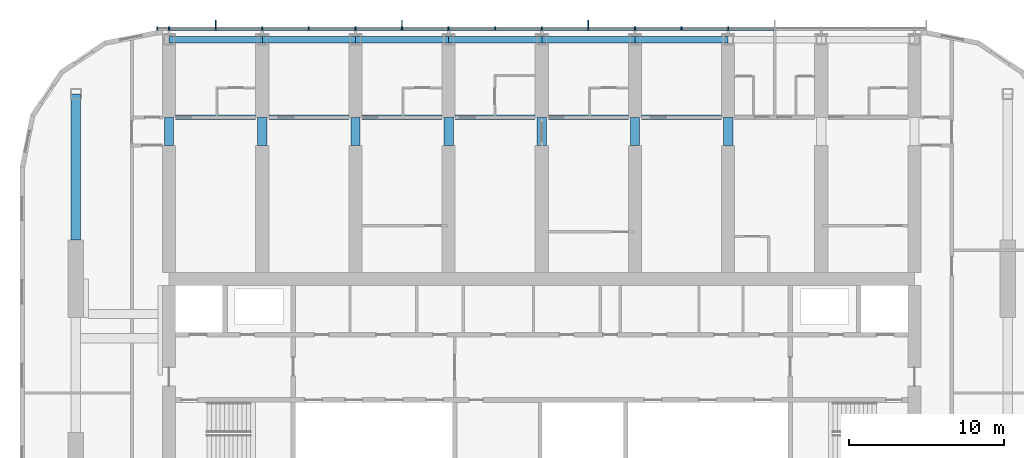
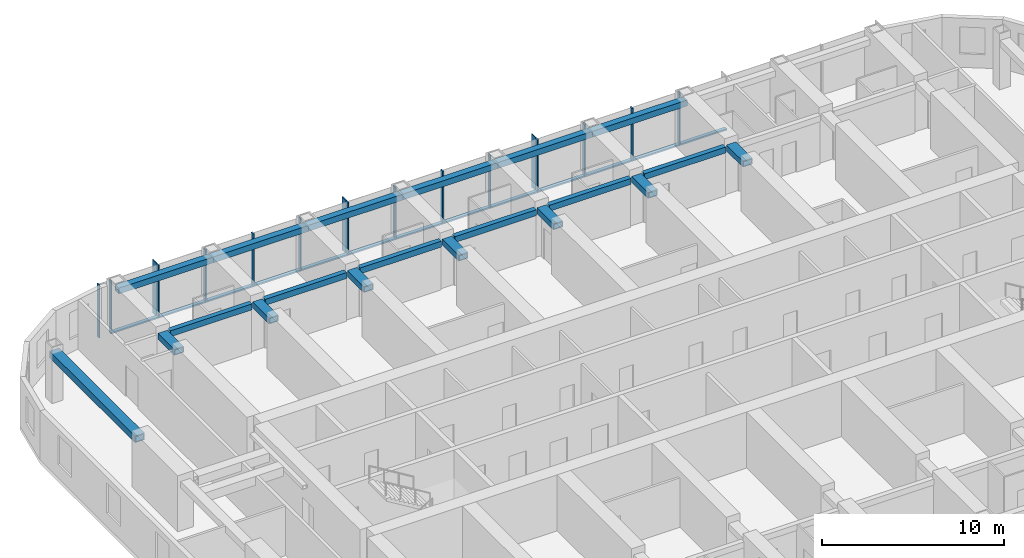
# One storey, part 4 of 22: 30 members, 20 beams, 1 element without a shape of its own.
"""IFC4 building model written with IfcOpenShell, lengths in metres."""

from ifc_helpers import new_model, si_unit, direction, frame, origin, origin_2d, place, context, subcontext, project, spatial, rectangle, hollow_rectangle, extrude, material, material_profile, profile_set, type_object, element, aggregate, save


model = new_model("IFC4")

# Units and contexts
model_context = context("Model", 3, precision=1e-05, world=origin(), true_north=direction((0.0, 1.0)))
body_context = subcontext(model_context, "Body", "Model", "MODEL_VIEW")
ifc_project = project(units=[si_unit("LENGTHUNIT", "METRE"), si_unit("AREAUNIT", "SQUARE_METRE"), si_unit("VOLUMEUNIT", "CUBIC_METRE"), si_unit("PLANEANGLEUNIT", "RADIAN"), si_unit("MASSUNIT", "GRAM", prefix="KILO")], contexts=[model_context])

# Site, building, storey
site_placement = place(None, origin())
site = spatial("IfcSite", under=ifc_project, at=site_placement, CompositionType="ELEMENT")
building_placement = place(site_placement, origin())
building = spatial("IfcBuilding", under=site, at=building_placement, Name="Orbita Commons", CompositionType="ELEMENT")
storey_placement = place(building_placement, frame((0.0, 0.0, 189.85009765625)))
storey = spatial("IfcBuildingStorey", under=building, at=storey_placement, Name="L47", CompositionType="ELEMENT", Elevation=189.85009765625)

# Curtain wall, members
ifc_material_1 = material(Name="Anodised aluminium frame, pale silver", Category="aluminium")
curtain_wall_type = type_object("IfcCurtainWallType", Name="Unitised curtain wall CW-U, full-height vision", PredefinedType="NOTDEFINED", material=ifc_material_1)
curtain_wall_placement = place(storey_placement, origin())
curtain_wall = element("IfcCurtainWall", 1, at=curtain_wall_placement, inside=storey, type_object=curtain_wall_type, Name="Curtain wall north L47", PredefinedType="NOTDEFINED")
ifc_material_2 = material(Name="Anodised aluminium, pale silver", Category="aluminium")
ifc_material_profile_1 = material_profile(ifc_material_2, rectangle(XDim=0.080078125, YDim=0.219970703125, at=origin_2d()), Name="AL 80x220")
ifc_profile_set_1 = profile_set([ifc_material_profile_1], Name="Anodised aluminium, pale silver")
member_type_1 = type_object("IfcMemberType", Name="Curtain wall mullion 80x220", PredefinedType="MULLION", material=ifc_profile_set_1)
member_1_placement = place(storey_placement, frame((54.0, 54.31005859375, -0.25), z_axis=(0.0, 0.0, 1.0), x_axis=(-1.0, 0.0, 0.0)))
member_1 = element("IfcMember", 2, at=member_1_placement, type_object=member_type_1, Name="Mullion 6 CW-L47-N", PredefinedType="MULLION", context=body_context, shape_type="SweptSolid", body=[
    extrude(rectangle(XDim=0.080078125, YDim=0.219970703125, at=origin_2d()), origin(), (0.0, 0.0, 1.0), 3.5498046875),
])
member_2_placement = place(storey_placement, frame((51.0, 54.31005859375, -0.25), z_axis=(0.0, 0.0, 1.0), x_axis=(-1.0, 0.0, 0.0)))
member_2 = element("IfcMember", 3, at=member_2_placement, type_object=member_type_1, Name="Mullion 7 CW-L47-N", PredefinedType="MULLION", context=body_context, shape_type="SweptSolid", body=[
    extrude(rectangle(XDim=0.080078125, YDim=0.219970703125, at=origin_2d()), origin(), (0.0, 0.0, 1.0), 3.5498046875),
])
member_3_placement = place(storey_placement, frame((48.0, 54.31005859375, -0.25), z_axis=(0.0, 0.0, 1.0), x_axis=(-1.0, 0.0, 0.0)))
member_3 = element("IfcMember", 4, at=member_3_placement, type_object=member_type_1, Name="Mullion 8 CW-L47-N", PredefinedType="MULLION", context=body_context, shape_type="SweptSolid", body=[
    extrude(rectangle(XDim=0.080078125, YDim=0.219970703125, at=origin_2d()), origin(), (0.0, 0.0, 1.0), 3.5498046875),
])
member_4_placement = place(storey_placement, frame((45.0, 54.31005859375, -0.25), z_axis=(0.0, 0.0, 1.0), x_axis=(-1.0, 0.0, 0.0)))
member_4 = element("IfcMember", 5, at=member_4_placement, type_object=member_type_1, Name="Mullion 9 CW-L47-N", PredefinedType="MULLION", context=body_context, shape_type="SweptSolid", body=[
    extrude(rectangle(XDim=0.080078125, YDim=0.219970703125, at=origin_2d()), origin(), (0.0, 0.0, 1.0), 3.5498046875),
])
member_5_placement = place(storey_placement, frame((42.0, 54.31005859375, -0.25), z_axis=(0.0, 0.0, 1.0), x_axis=(-1.0, 0.0, 0.0)))
member_5 = element("IfcMember", 6, at=member_5_placement, type_object=member_type_1, Name="Mullion 10 CW-L47-N", PredefinedType="MULLION", context=body_context, shape_type="SweptSolid", body=[
    extrude(rectangle(XDim=0.080078125, YDim=0.219970703125, at=origin_2d()), origin(), (0.0, 0.0, 1.0), 3.5498046875),
])
member_6_placement = place(storey_placement, frame((39.0, 54.31005859375, -0.25), z_axis=(0.0, 0.0, 1.0), x_axis=(-1.0, 0.0, 0.0)))
member_6 = element("IfcMember", 7, at=member_6_placement, type_object=member_type_1, Name="Mullion 11 CW-L47-N", PredefinedType="MULLION", context=body_context, shape_type="SweptSolid", body=[
    extrude(rectangle(XDim=0.080078125, YDim=0.219970703125, at=origin_2d()), origin(), (0.0, 0.0, 1.0), 3.5498046875),
])
member_7_placement = place(storey_placement, frame((36.0, 54.31005859375, -0.25), z_axis=(0.0, 0.0, 1.0), x_axis=(-1.0, 0.0, 0.0)))
member_7 = element("IfcMember", 8, at=member_7_placement, type_object=member_type_1, Name="Mullion 12 CW-L47-N", PredefinedType="MULLION", context=body_context, shape_type="SweptSolid", body=[
    extrude(rectangle(XDim=0.080078125, YDim=0.219970703125, at=origin_2d()), origin(), (0.0, 0.0, 1.0), 3.5498046875),
])
member_8_placement = place(storey_placement, frame((33.0, 54.31005859375, -0.25), z_axis=(0.0, 0.0, 1.0), x_axis=(-1.0, 0.0, 0.0)))
member_8 = element("IfcMember", 9, at=member_8_placement, type_object=member_type_1, Name="Mullion 13 CW-L47-N", PredefinedType="MULLION", context=body_context, shape_type="SweptSolid", body=[
    extrude(rectangle(XDim=0.080078125, YDim=0.219970703125, at=origin_2d()), origin(), (0.0, 0.0, 1.0), 3.5498046875),
])
member_9_placement = place(storey_placement, frame((30.0, 54.31005859375, -0.25), z_axis=(0.0, 0.0, 1.0), x_axis=(-1.0, 0.0, 0.0)))
member_9 = element("IfcMember", 10, at=member_9_placement, type_object=member_type_1, Name="Mullion 14 CW-L47-N", PredefinedType="MULLION", context=body_context, shape_type="SweptSolid", body=[
    extrude(rectangle(XDim=0.080078125, YDim=0.219970703125, at=origin_2d()), origin(), (0.0, 0.0, 1.0), 3.5498046875),
])
member_10_placement = place(storey_placement, frame((27.0, 54.31005859375, -0.25), z_axis=(0.0, 0.0, 1.0), x_axis=(-1.0, 0.0, 0.0)))
member_10 = element("IfcMember", 11, at=member_10_placement, type_object=member_type_1, Name="Mullion 15 CW-L47-N", PredefinedType="MULLION", context=body_context, shape_type="SweptSolid", body=[
    extrude(rectangle(XDim=0.080078125, YDim=0.219970703125, at=origin_2d()), origin(), (0.0, 0.0, 1.0), 3.5498046875),
])
member_11_placement = place(storey_placement, frame((24.0, 54.31005859375, -0.25), z_axis=(0.0, 0.0, 1.0), x_axis=(-1.0, 0.0, 0.0)))
member_11 = element("IfcMember", 12, at=member_11_placement, type_object=member_type_1, Name="Mullion 16 CW-L47-N", PredefinedType="MULLION", context=body_context, shape_type="SweptSolid", body=[
    extrude(rectangle(XDim=0.080078125, YDim=0.219970703125, at=origin_2d()), origin(), (0.0, 0.0, 1.0), 3.5498046875),
])
member_12_placement = place(storey_placement, frame((21.0, 54.31005859375, -0.25), z_axis=(0.0, 0.0, 1.0), x_axis=(-1.0, 0.0, 0.0)))
member_12 = element("IfcMember", 13, at=member_12_placement, type_object=member_type_1, Name="Mullion 17 CW-L47-N", PredefinedType="MULLION", context=body_context, shape_type="SweptSolid", body=[
    extrude(rectangle(XDim=0.080078125, YDim=0.219970703125, at=origin_2d()), origin(), (0.0, 0.0, 1.0), 3.5498046875),
])
member_13_placement = place(storey_placement, frame((18.0, 54.31005859375, -0.25), z_axis=(0.0, 0.0, 1.0), x_axis=(-1.0, 0.0, 0.0)))
member_13 = element("IfcMember", 14, at=member_13_placement, type_object=member_type_1, Name="Mullion 18 CW-L47-N", PredefinedType="MULLION", context=body_context, shape_type="SweptSolid", body=[
    extrude(rectangle(XDim=0.080078125, YDim=0.219970703125, at=origin_2d()), origin(), (0.0, 0.0, 1.0), 3.5498046875),
])
member_14_placement = place(storey_placement, frame((17.239990234375, 54.31005859375, -0.25), z_axis=(0.0, 0.0, 1.0), x_axis=(-1.0, 0.0, 0.0)))
member_14 = element("IfcMember", 15, at=member_14_placement, type_object=member_type_1, Name="Mullion 19 CW-L47-N", PredefinedType="MULLION", context=body_context, shape_type="SweptSolid", body=[
    extrude(rectangle(XDim=0.080078125, YDim=0.219970703125, at=origin_2d()), origin(), (0.0, 0.0, 1.0), 3.5498046875),
])
ifc_material_3 = material(Name="Anodised aluminium, pale silver", Category="aluminium")
ifc_material_profile_2 = material_profile(ifc_material_3, rectangle(XDim=0.219970703125, YDim=0.10009765625, at=origin_2d()), Name="AL 220x100")
ifc_profile_set_2 = profile_set([ifc_material_profile_2], Name="Anodised aluminium, pale silver")
member_type_2 = type_object("IfcMemberType", Name="Curtain wall stack transom 220x100", PredefinedType="USERDEFINED", material=ifc_profile_set_2)
member_15_placement = place(storey_placement, frame((56.9599609375, 54.31005859375, -0.2001953125), z_axis=(-1.0, 0.0, 0.0), x_axis=(0.0, -1.0, 0.0)))
member_15 = element("IfcMember", 16, at=member_15_placement, type_object=member_type_2, Name="Transom 5.1 CW-L47-N", ObjectType="TRANSOM", PredefinedType="USERDEFINED", context=body_context, shape_type="SweptSolid", body=[
    extrude(rectangle(XDim=0.219970703125, YDim=0.10009765625, at=origin_2d()), origin(), (0.0, 0.0, 1.0), 2.919921875),
])
member_16_placement = place(storey_placement, frame((53.9599609375, 54.31005859375, -0.2001953125), z_axis=(-1.0, 0.0, 0.0), x_axis=(0.0, -1.0, 0.0)))
member_16 = element("IfcMember", 17, at=member_16_placement, type_object=member_type_2, Name="Transom 6.1 CW-L47-N", ObjectType="TRANSOM", PredefinedType="USERDEFINED", context=body_context, shape_type="SweptSolid", body=[
    extrude(rectangle(XDim=0.219970703125, YDim=0.10009765625, at=origin_2d()), origin(), (0.0, 0.0, 1.0), 2.919921875),
])
member_17_placement = place(storey_placement, frame((50.9599609375, 54.31005859375, -0.2001953125), z_axis=(-1.0, 0.0, 0.0), x_axis=(0.0, -1.0, 0.0)))
member_17 = element("IfcMember", 18, at=member_17_placement, type_object=member_type_2, Name="Transom 7.1 CW-L47-N", ObjectType="TRANSOM", PredefinedType="USERDEFINED", context=body_context, shape_type="SweptSolid", body=[
    extrude(rectangle(XDim=0.219970703125, YDim=0.10009765625, at=origin_2d()), origin(), (0.0, 0.0, 1.0), 2.919921875),
])
member_18_placement = place(storey_placement, frame((47.9599609375, 54.31005859375, -0.2001953125), z_axis=(-1.0, 0.0, 0.0), x_axis=(0.0, -1.0, 0.0)))
member_18 = element("IfcMember", 19, at=member_18_placement, type_object=member_type_2, Name="Transom 8.1 CW-L47-N", ObjectType="TRANSOM", PredefinedType="USERDEFINED", context=body_context, shape_type="SweptSolid", body=[
    extrude(rectangle(XDim=0.219970703125, YDim=0.10009765625, at=origin_2d()), origin(), (0.0, 0.0, 1.0), 2.919921875),
])
member_19_placement = place(storey_placement, frame((44.9599609375, 54.31005859375, -0.2001953125), z_axis=(-1.0, 0.0, 0.0), x_axis=(0.0, -1.0, 0.0)))
member_19 = element("IfcMember", 20, at=member_19_placement, type_object=member_type_2, Name="Transom 9.1 CW-L47-N", ObjectType="TRANSOM", PredefinedType="USERDEFINED", context=body_context, shape_type="SweptSolid", body=[
    extrude(rectangle(XDim=0.219970703125, YDim=0.10009765625, at=origin_2d()), origin(), (0.0, 0.0, 1.0), 2.919921875),
])
member_20_placement = place(storey_placement, frame((41.9599609375, 54.31005859375, -0.2001953125), z_axis=(-1.0, 0.0, 0.0), x_axis=(0.0, -1.0, 0.0)))
member_20 = element("IfcMember", 21, at=member_20_placement, type_object=member_type_2, Name="Transom 10.1 CW-L47-N", ObjectType="TRANSOM", PredefinedType="USERDEFINED", context=body_context, shape_type="SweptSolid", body=[
    extrude(rectangle(XDim=0.219970703125, YDim=0.10009765625, at=origin_2d()), origin(), (0.0, 0.0, 1.0), 2.919921875),
])
member_21_placement = place(storey_placement, frame((38.9599609375, 54.31005859375, -0.2001953125), z_axis=(-1.0, 0.0, 0.0), x_axis=(0.0, -1.0, 0.0)))
member_21 = element("IfcMember", 22, at=member_21_placement, type_object=member_type_2, Name="Transom 11.1 CW-L47-N", ObjectType="TRANSOM", PredefinedType="USERDEFINED", context=body_context, shape_type="SweptSolid", body=[
    extrude(rectangle(XDim=0.219970703125, YDim=0.10009765625, at=origin_2d()), origin(), (0.0, 0.0, 1.0), 2.919921875),
])
member_22_placement = place(storey_placement, frame((35.9599609375, 54.31005859375, -0.2001953125), z_axis=(-1.0, 0.0, 0.0), x_axis=(0.0, -1.0, 0.0)))
member_22 = element("IfcMember", 23, at=member_22_placement, type_object=member_type_2, Name="Transom 12.1 CW-L47-N", ObjectType="TRANSOM", PredefinedType="USERDEFINED", context=body_context, shape_type="SweptSolid", body=[
    extrude(rectangle(XDim=0.219970703125, YDim=0.10009765625, at=origin_2d()), origin(), (0.0, 0.0, 1.0), 2.919921875),
])
member_23_placement = place(storey_placement, frame((32.9599609375, 54.31005859375, -0.2001953125), z_axis=(-1.0, 0.0, 0.0), x_axis=(0.0, -1.0, 0.0)))
member_23 = element("IfcMember", 24, at=member_23_placement, type_object=member_type_2, Name="Transom 13.1 CW-L47-N", ObjectType="TRANSOM", PredefinedType="USERDEFINED", context=body_context, shape_type="SweptSolid", body=[
    extrude(rectangle(XDim=0.219970703125, YDim=0.10009765625, at=origin_2d()), origin(), (0.0, 0.0, 1.0), 2.919921875),
])
member_24_placement = place(storey_placement, frame((29.9599609375, 54.31005859375, -0.2001953125), z_axis=(-1.0, 0.0, 0.0), x_axis=(0.0, -1.0, 0.0)))
member_24 = element("IfcMember", 25, at=member_24_placement, type_object=member_type_2, Name="Transom 14.1 CW-L47-N", ObjectType="TRANSOM", PredefinedType="USERDEFINED", context=body_context, shape_type="SweptSolid", body=[
    extrude(rectangle(XDim=0.219970703125, YDim=0.10009765625, at=origin_2d()), origin(), (0.0, 0.0, 1.0), 2.919921875),
])
member_25_placement = place(storey_placement, frame((26.9599609375, 54.31005859375, -0.2001953125), z_axis=(-1.0, 0.0, 0.0), x_axis=(0.0, -1.0, 0.0)))
member_25 = element("IfcMember", 26, at=member_25_placement, type_object=member_type_2, Name="Transom 15.1 CW-L47-N", ObjectType="TRANSOM", PredefinedType="USERDEFINED", context=body_context, shape_type="SweptSolid", body=[
    extrude(rectangle(XDim=0.219970703125, YDim=0.10009765625, at=origin_2d()), origin(), (0.0, 0.0, 1.0), 2.919921875),
])
member_26_placement = place(storey_placement, frame((23.9599609375, 54.31005859375, -0.2001953125), z_axis=(-1.0, 0.0, 0.0), x_axis=(0.0, -1.0, 0.0)))
member_26 = element("IfcMember", 27, at=member_26_placement, type_object=member_type_2, Name="Transom 16.1 CW-L47-N", ObjectType="TRANSOM", PredefinedType="USERDEFINED", context=body_context, shape_type="SweptSolid", body=[
    extrude(rectangle(XDim=0.219970703125, YDim=0.10009765625, at=origin_2d()), origin(), (0.0, 0.0, 1.0), 2.919921875),
])
member_27_placement = place(storey_placement, frame((20.9599609375, 54.31005859375, -0.2001953125), z_axis=(-1.0, 0.0, 0.0), x_axis=(0.0, -1.0, 0.0)))
member_27 = element("IfcMember", 28, at=member_27_placement, type_object=member_type_2, Name="Transom 17.1 CW-L47-N", ObjectType="TRANSOM", PredefinedType="USERDEFINED", context=body_context, shape_type="SweptSolid", body=[
    extrude(rectangle(XDim=0.219970703125, YDim=0.10009765625, at=origin_2d()), origin(), (0.0, 0.0, 1.0), 2.919921875),
])

# Beams
ifc_material_4 = material(Name="Steel ASTM A572 Gr 50 welded plate", Category="steel")
ifc_material_profile_3 = material_profile(ifc_material_4, hollow_rectangle(XDim=0.300048828125, YDim=0.39990234375, WallThickness=0.0400390625, at=origin_2d()), Name="BOX 400x300x40")
ifc_profile_set_3 = profile_set([ifc_material_profile_3], Name="Steel ASTM A572 Gr 50 welded plate")
beam_type_1 = type_object("IfcBeamType", Name="Steel corridor link BOX 400x300x40", PredefinedType="BEAM", material=ifc_profile_set_3)
for number, where, z_axis, x_axis, name in (
    (29, (18.425048828125, 48.60009765625, 3.099853515625), (1.0, 0.0, 0.0), (0.0, 1.0, 0.0), "Corridor beam NB 4-5 L47"),
    (30, (24.425048828125, 48.60009765625, 3.099853515625), (1.0, 0.0, 0.0), (0.0, 1.0, 0.0), "Corridor beam NB 5-6 L47"),
    (31, (30.425048828125, 48.60009765625, 3.099853515625), (1.0, 0.0, 0.0), (0.0, 1.0, 0.0), "Corridor beam NB 6-7 L47"),
    (32, (36.425048828125, 48.60009765625, 3.099853515625), (1.0, 0.0, 0.0), (0.0, 1.0, 0.0), "Corridor beam NB 7-8 L47"),
    (33, (42.425048828125, 48.60009765625, 3.099853515625), (1.0, 0.0, 0.0), (0.0, 1.0, 0.0), "Corridor beam NB 8-9 L47"),
    (34, (48.425048828125, 48.60009765625, 3.099853515625), (1.0, 0.0, 0.0), (0.0, 1.0, 0.0), "Corridor beam NB 9-10 L47"),
):
    element("IfcBeam", number, at=place(storey_placement, frame(where, z_axis=z_axis, x_axis=x_axis)), inside=storey, type_object=beam_type_1, Name=name, PredefinedType="BEAM", context=body_context, shape_type="SweptSolid", body=[
        extrude(hollow_rectangle(XDim=0.300048828125, YDim=0.39990234375, WallThickness=0.0400390625, at=origin_2d()), origin(), (0.0, 0.0, 1.0), 5.14990234375),
    ])
ifc_material_5 = material(Name="Steel ASTM A572 Gr 50 welded plate", Category="steel")
ifc_material_profile_4 = material_profile(ifc_material_5, hollow_rectangle(XDim=0.60009765625, YDim=0.39990234375, WallThickness=0.050048828125, at=origin_2d()), Name="BOX 400x600x50")
ifc_profile_set_4 = profile_set([ifc_material_profile_4], Name="Steel ASTM A572 Gr 50 welded plate")
beam_type_2 = type_object("IfcBeamType", Name="Steel coupling link BOX 400x600x50", PredefinedType="LINTEL", material=ifc_profile_set_4)
for number, where, z_axis, x_axis, name in (
    (35, (18.0, 46.800048828125, 3.099853515625), (0.0, 1.0, 0.0), (-1.0, 0.0, 0.0), "Coupling beam 4 north L47"),
    (36, (24.0, 46.800048828125, 3.099853515625), (0.0, 1.0, 0.0), (-1.0, 0.0, 0.0), "Coupling beam 5 north L47"),
    (37, (30.0, 46.800048828125, 3.099853515625), (0.0, 1.0, 0.0), (-1.0, 0.0, 0.0), "Coupling beam 6 north L47"),
    (38, (36.0, 46.800048828125, 3.099853515625), (0.0, 1.0, 0.0), (-1.0, 0.0, 0.0), "Coupling beam 7 north L47"),
    (39, (42.0, 46.800048828125, 3.099853515625), (0.0, 1.0, 0.0), (-1.0, 0.0, 0.0), "Coupling beam 8 north L47"),
    (40, (48.0, 46.800048828125, 3.099853515625), (0.0, 1.0, 0.0), (-1.0, 0.0, 0.0), "Coupling beam 9 north L47"),
    (41, (54.0, 46.800048828125, 3.099853515625), (0.0, 1.0, 0.0), (-1.0, 0.0, 0.0), "Coupling beam 10 north L47"),
):
    element("IfcBeam", number, at=place(storey_placement, frame(where, z_axis=z_axis, x_axis=x_axis)), inside=storey, type_object=beam_type_2, Name=name, PredefinedType="LINTEL", context=body_context, shape_type="SweptSolid", body=[
        extrude(hollow_rectangle(XDim=0.60009765625, YDim=0.39990234375, WallThickness=0.050048828125, at=origin_2d()), origin(), (0.0, 0.0, 1.0), 1.800048828125),
    ])
ifc_material_6 = material(Name="Steel ASTM A572 Gr 50 welded plate", Category="steel")
ifc_material_profile_5 = material_profile(ifc_material_6, hollow_rectangle(XDim=0.60009765625, YDim=0.449951171875, WallThickness=0.06005859375, at=origin_2d()), Name="BOX 450x600x60")
ifc_profile_set_5 = profile_set([ifc_material_profile_5], Name="Steel ASTM A572 Gr 50 welded plate")
beam_type_3 = type_object("IfcBeamType", Name="Steel end frame link BOX 450x600x60", PredefinedType="BEAM", material=ifc_profile_set_5)
beam_placement = place(storey_placement, frame((12.0, 40.699951171875, 3.074951171875), z_axis=(0.0, 1.0, 0.0), x_axis=(-1.0, 0.0, 0.0)))
element("IfcBeam", 42, at=beam_placement, inside=storey, type_object=beam_type_3, Name="End frame beam 3 D-E L47", PredefinedType="BEAM", context=body_context, shape_type="SweptSolid", body=[
    extrude(hollow_rectangle(XDim=0.60009765625, YDim=0.449951171875, WallThickness=0.06005859375, at=origin_2d()), origin(), (0.0, 0.0, 1.0), 9.400146484375),
])
ifc_material_7 = material(Name="Steel ASTM A572 Gr 50 welded plate", Category="steel")
ifc_material_profile_6 = material_profile(ifc_material_7, hollow_rectangle(XDim=0.39990234375, YDim=0.39990234375, WallThickness=0.0400390625, at=origin_2d()), Name="BOX 400x400x40")
ifc_profile_set_6 = profile_set([ifc_material_profile_6], Name="Steel ASTM A572 Gr 50 welded plate")
beam_type_4 = type_object("IfcBeamType", Name="Steel spandrel BOX 400x400x40", PredefinedType="SPANDREL", material=ifc_profile_set_6)
for number, where, z_axis, x_axis, name in (
    (43, (18.0, 53.60009765625, 3.099853515625), (1.0, 0.0, 0.0), (0.0, 1.0, 0.0), "Spandrel beam E 4-5 L47"),
    (44, (24.0, 53.60009765625, 3.099853515625), (1.0, 0.0, 0.0), (0.0, 1.0, 0.0), "Spandrel beam E 5-6 L47"),
    (45, (30.0, 53.60009765625, 3.099853515625), (1.0, 0.0, 0.0), (0.0, 1.0, 0.0), "Spandrel beam E 6-7 L47"),
    (46, (36.0, 53.60009765625, 3.099853515625), (1.0, 0.0, 0.0), (0.0, 1.0, 0.0), "Spandrel beam E 7-8 L47"),
    (47, (42.0, 53.60009765625, 3.099853515625), (1.0, 0.0, 0.0), (0.0, 1.0, 0.0), "Spandrel beam E 8-9 L47"),
    (48, (48.0, 53.60009765625, 3.099853515625), (1.0, 0.0, 0.0), (0.0, 1.0, 0.0), "Spandrel beam E 9-10 L47"),
):
    element("IfcBeam", number, at=place(storey_placement, frame(where, z_axis=z_axis, x_axis=x_axis)), inside=storey, type_object=beam_type_4, Name=name, PredefinedType="SPANDREL", context=body_context, shape_type="SweptSolid", body=[
        extrude(hollow_rectangle(XDim=0.39990234375, YDim=0.39990234375, WallThickness=0.0400390625, at=origin_2d()), origin(), (0.0, 0.0, 1.0), 6.0),
    ])

# Member
ifc_material_8 = material(Name="Anodised aluminium, pale silver", Category="aluminium")
ifc_material_profile_7 = material_profile(ifc_material_8, rectangle(XDim=0.06005859375, YDim=0.449951171875, at=origin_2d()), Name="FIN 60x450")
ifc_profile_set_7 = profile_set([ifc_material_profile_7], Name="Anodised aluminium, pale silver")
member_type_3 = type_object("IfcMemberType", Name="Vertical fin 60x450 pale aluminium", PredefinedType="USERDEFINED", material=ifc_profile_set_7)
member_28_placement = place(storey_placement, frame((45.0, 54.64501953125, -0.25), z_axis=(0.0, 0.0, 1.0), x_axis=(-1.0, 0.0, 0.0)))
member_28 = element("IfcMember", 49, at=member_28_placement, type_object=member_type_3, Name="Fin 9 CW-L47-N", ObjectType="FIN", PredefinedType="USERDEFINED", context=body_context, shape_type="SweptSolid", body=[
    extrude(rectangle(XDim=0.06005859375, YDim=0.449951171875, at=origin_2d()), origin(), (0.0, 0.0, 1.0), 3.5498046875),
])

member_29_placement = place(storey_placement, frame((33.0, 54.64501953125, -0.25), z_axis=(0.0, 0.0, 1.0), x_axis=(-1.0, 0.0, 0.0)))
member_29 = element("IfcMember", 50, at=member_29_placement, type_object=member_type_3, Name="Fin 13 CW-L47-N", ObjectType="FIN", PredefinedType="USERDEFINED", context=body_context, shape_type="SweptSolid", body=[
    extrude(rectangle(XDim=0.06005859375, YDim=0.449951171875, at=origin_2d()), origin(), (0.0, 0.0, 1.0), 3.5498046875),
])

member_30_placement = place(storey_placement, frame((21.0, 54.64501953125, -0.25), z_axis=(0.0, 0.0, 1.0), x_axis=(-1.0, 0.0, 0.0)))
member_30 = element("IfcMember", 51, at=member_30_placement, type_object=member_type_3, Name="Fin 17 CW-L47-N", ObjectType="FIN", PredefinedType="USERDEFINED", context=body_context, shape_type="SweptSolid", body=[
    extrude(rectangle(XDim=0.06005859375, YDim=0.449951171875, at=origin_2d()), origin(), (0.0, 0.0, 1.0), 3.5498046875),
])

aggregate(curtain_wall, [member_1, member_2, member_3, member_4, member_28, member_5, member_6, member_7, member_8, member_29, member_9, member_10, member_11, member_12, member_30, member_13, member_14, member_15, member_16, member_17, member_18, member_19, member_20, member_21, member_22, member_23, member_24, member_25, member_26, member_27])

save(model, "model.ifc")
